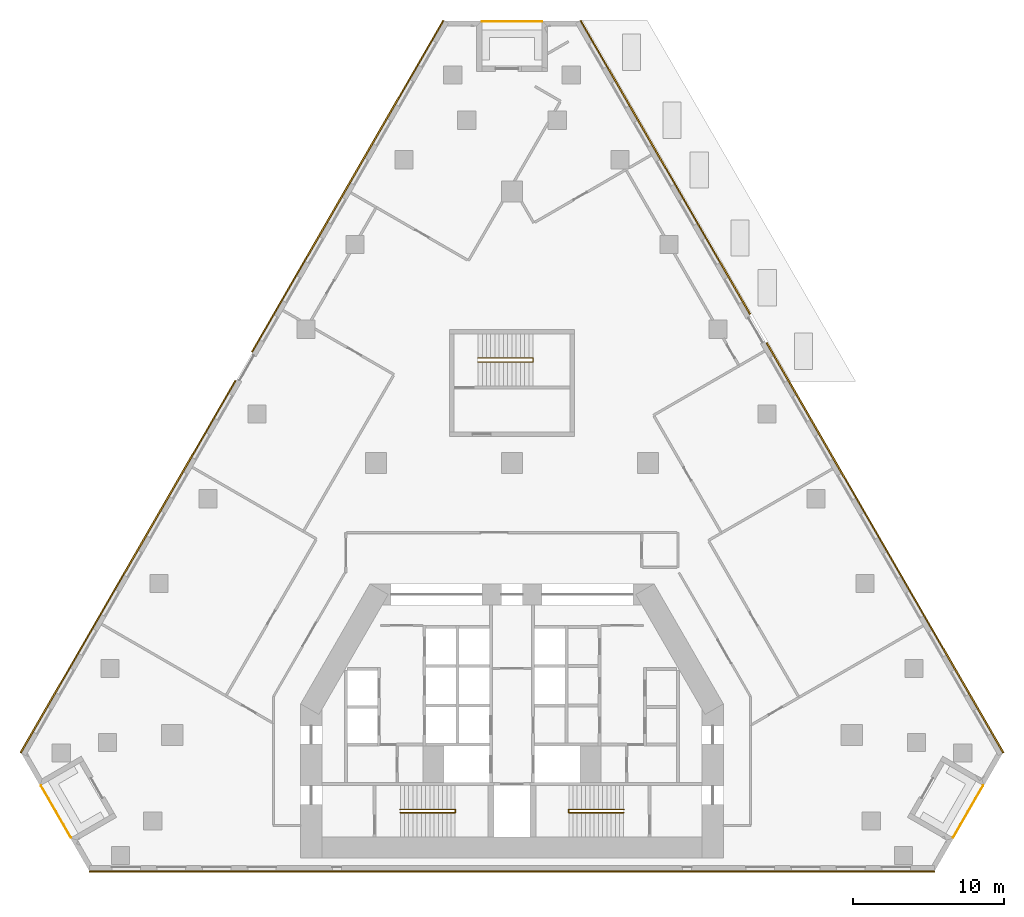
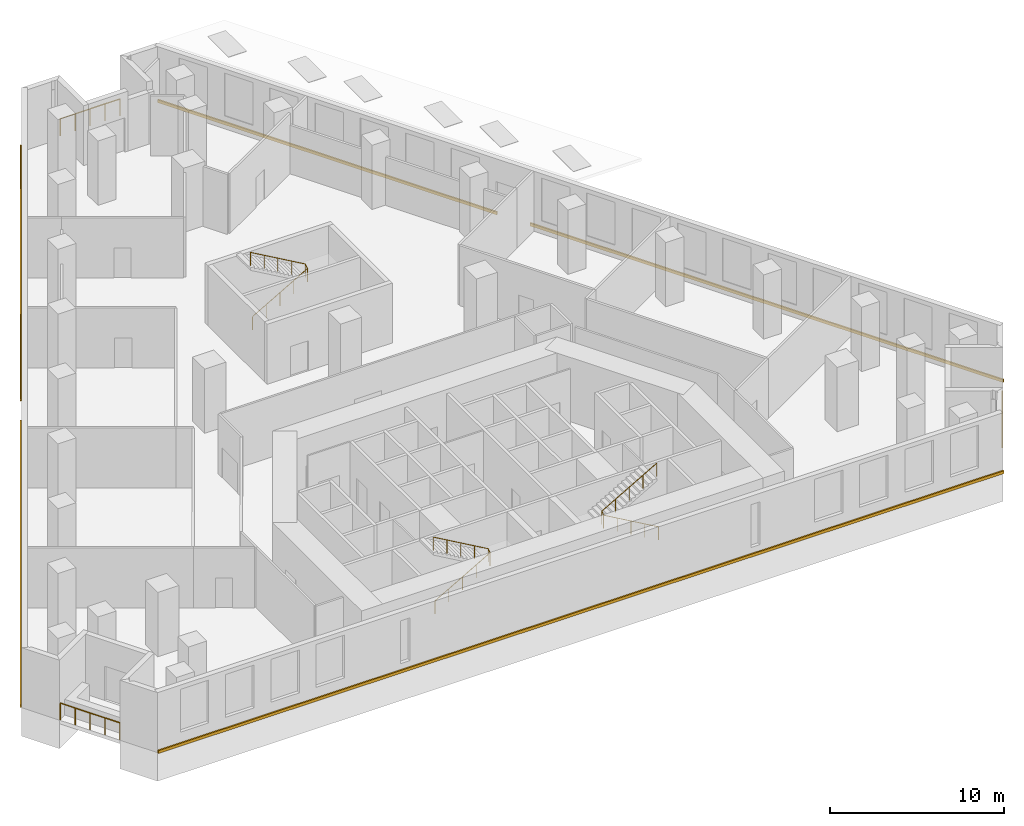
# One storey, part 13 of 13: 6 railings, 5 coverings.
"""IFC4 building model written with IfcOpenShell, lengths in metres."""

from ifc_helpers import new_model, si_unit, direction, frame, origin, origin_2d, place, context, subcontext, project, spatial, polyline, circle, outline, extrude, material, type_object, element, save


model = new_model("IFC4")

# Units and contexts
model_context = context("Model", 3, precision=1e-05, world=origin(), true_north=direction((0.0, 1.0)))
body_context = subcontext(model_context, "Body", "Model", "MODEL_VIEW")
ifc_project = project(units=[si_unit("LENGTHUNIT", "METRE"), si_unit("AREAUNIT", "SQUARE_METRE"), si_unit("VOLUMEUNIT", "CUBIC_METRE"), si_unit("PLANEANGLEUNIT", "RADIAN"), si_unit("MASSUNIT", "GRAM", prefix="KILO")], contexts=[model_context])

# Site, building, storey
site_placement = place(None, origin())
site = spatial("IfcSite", under=ifc_project, at=site_placement, CompositionType="ELEMENT")
building_placement = place(site_placement, origin())
building = spatial("IfcBuilding", under=site, at=building_placement, Name="Fogline Exchange Tower", CompositionType="ELEMENT")
storey_placement = place(building_placement, frame((0.0, 0.0, 25.0)))
storey = spatial("IfcBuildingStorey", under=building, at=storey_placement, Name="L04", CompositionType="ELEMENT", Elevation=25.0)

# Railings
ifc_material_1 = material(Name="Stainless steel 304", Category="steel")
railing_type_1 = type_object("IfcRailingType", Name="G1", PredefinedType="GUARDRAIL", material=ifc_material_1)
railing_1_placement = place(storey_placement, frame((-31.1962890625, 5.635986328125, 0.0)))
element("IfcRailing", 1, at=railing_1_placement, inside=storey, type_object=railing_type_1, Name="Balcony guard L04 SW", PredefinedType="GUARDRAIL", context=body_context, shape_type="SweptSolid", body=[
    extrude(circle(Radius=0.02392578125, at=origin_2d()), frame((0.0, 0.0, 1.17578125), z_axis=(0.500000102728, -0.866025344474, 0.0), x_axis=(0.866025344474, 0.500000102728, 0.0)), (0.0, 0.0, 1.0), 3.9580078125),
    extrude(circle(Radius=0.02099609375, at=origin_2d()), origin(), (0.0, 0.0, 1.0), 1.15185546875),
    extrude(circle(Radius=0.02099609375, at=origin_2d()), frame((0.49462890625, -0.85693359375, 0.0)), (0.0, 0.0, 1.0), 1.15185546875),
    extrude(circle(Radius=0.02099609375, at=origin_2d()), frame((0.989501953125, -1.7138671875, 0.0)), (0.0, 0.0, 1.0), 1.15185546875),
    extrude(circle(Radius=0.02099609375, at=origin_2d()), frame((1.484375, -2.57080078125, 0.0)), (0.0, 0.0, 1.0), 1.15185546875),
    extrude(circle(Radius=0.02099609375, at=origin_2d()), frame((1.97900390625, -3.427734375, 0.0)), (0.0, 0.0, 1.0), 1.15185546875),
])
railing_2_placement = place(storey_placement, frame((29.21728515625, 2.208251953125, 0.0)))
element("IfcRailing", 2, at=railing_2_placement, inside=storey, type_object=railing_type_1, Name="Balcony guard L04 SE", PredefinedType="GUARDRAIL", context=body_context, shape_type="SweptSolid", body=[
    extrude(circle(Radius=0.02392578125, at=origin_2d()), frame((0.0, 0.0, 1.17578125), z_axis=(0.500000102728, 0.866025344474, 0.0), x_axis=(-0.866025344474, 0.500000102728, 0.0)), (0.0, 0.0, 1.0), 3.9580078125),
    extrude(circle(Radius=0.02099609375, at=origin_2d()), origin(), (0.0, 0.0, 1.0), 1.15185546875),
    extrude(circle(Radius=0.02099609375, at=origin_2d()), frame((0.49462890625, 0.85693359375, 0.0)), (0.0, 0.0, 1.0), 1.15185546875),
    extrude(circle(Radius=0.02099609375, at=origin_2d()), frame((0.989501953125, 1.7138671875, 0.0)), (0.0, 0.0, 1.0), 1.15185546875),
    extrude(circle(Radius=0.02099609375, at=origin_2d()), frame((1.484375, 2.57080078125, 0.0)), (0.0, 0.0, 1.0), 1.15185546875),
    extrude(circle(Radius=0.02099609375, at=origin_2d()), frame((1.97900390625, 3.427734375, 0.0)), (0.0, 0.0, 1.0), 1.15185546875),
])
railing_3_placement = place(storey_placement, frame((1.97900390625, 56.24169921875, 0.0)))
element("IfcRailing", 3, at=railing_3_placement, inside=storey, type_object=railing_type_1, Name="Balcony guard L04 N", PredefinedType="GUARDRAIL", context=body_context, shape_type="SweptSolid", body=[
    extrude(circle(Radius=0.02392578125, at=origin_2d()), frame((0.0, 0.0, 1.17578125), z_axis=(-1.0, 0.0, 0.0), x_axis=(0.0, -1.0, 0.0)), (0.0, 0.0, 1.0), 3.9580078125),
    extrude(circle(Radius=0.02099609375, at=origin_2d()), origin(), (0.0, 0.0, 1.0), 1.15185546875),
    extrude(circle(Radius=0.02099609375, at=origin_2d()), frame((-0.989501953125, 0.0, 0.0)), (0.0, 0.0, 1.0), 1.15185546875),
    extrude(circle(Radius=0.02099609375, at=origin_2d()), frame((-1.97900390625, 0.0, 0.0)), (0.0, 0.0, 1.0), 1.15185546875),
    extrude(circle(Radius=0.02099609375, at=origin_2d()), frame((-2.968505859375, 0.0, 0.0)), (0.0, 0.0, 1.0), 1.15185546875),
    extrude(circle(Radius=0.02099609375, at=origin_2d()), frame((-3.9580078125, 0.0, 0.0)), (0.0, 0.0, 1.0), 1.15185546875),
])
ifc_material_2 = material(Name="Steel Q235B", Category="steel")
railing_type_2 = type_object("IfcRailingType", Name="RL-HR", PredefinedType="HANDRAIL", material=ifc_material_2)
railing_4_placement = place(storey_placement, frame((-7.39990234375, 3.85009765625, 0.16064453125)))
element("IfcRailing", 4, at=railing_4_placement, inside=storey, type_object=railing_type_2, Name="Handrail ST1", PredefinedType="HANDRAIL", context=body_context, shape_type="SweptSolid", body=[
    extrude(circle(Radius=0.02392578125, at=origin_2d()), frame((0.0, 0.0, 0.92578125), z_axis=(0.8672749571, 0.0, 0.497829437445), x_axis=(0.0, 1.0, 0.0)), (0.0, 0.0, 1.0), 4.197021484375),
    extrude(circle(Radius=0.02392578125, at=origin_2d()), frame((3.639892578125, 0.0, 3.01513671875), z_axis=(0.0, 0.779567027444, 0.626318808374), x_axis=(-1.0, 0.0, 0.0)), (0.0, 0.0, 1.0), 0.256591796875),
    extrude(circle(Radius=0.02392578125, at=origin_2d()), frame((3.639892578125, 0.199951171875, 3.17578125), z_axis=(-0.8672749571, 0.0, 0.497829437445), x_axis=(0.0, -1.0, 0.0)), (0.0, 0.0, 1.0), 4.197021484375),
    extrude(circle(Radius=0.02099609375, at=origin_2d()), origin(), (0.0, 0.0, 1.0), 0.90185546875),
    extrude(circle(Radius=0.02099609375, at=origin_2d()), frame((0.909912109375, 0.0, 0.5224609375)), (0.0, 0.0, 1.0), 0.90185546875),
    extrude(circle(Radius=0.02099609375, at=origin_2d()), frame((1.81982421875, 0.0, 1.044677734375)), (0.0, 0.0, 1.0), 0.90185546875),
    extrude(circle(Radius=0.02099609375, at=origin_2d()), frame((2.72998046875, 0.0, 1.56689453125)), (0.0, 0.0, 1.0), 0.90185546875),
    extrude(circle(Radius=0.02099609375, at=origin_2d()), frame((3.639892578125, 0.0, 2.08935546875)), (0.0, 0.0, 1.0), 0.90185546875),
    extrude(circle(Radius=0.02099609375, at=origin_2d()), frame((3.639892578125, 0.199951171875, 2.25)), (0.0, 0.0, 1.0), 0.90185546875),
    extrude(circle(Radius=0.02099609375, at=origin_2d()), frame((2.72998046875, 0.199951171875, 2.7724609375)), (0.0, 0.0, 1.0), 0.90185546875),
    extrude(circle(Radius=0.02099609375, at=origin_2d()), frame((1.81982421875, 0.199951171875, 3.294677734375)), (0.0, 0.0, 1.0), 0.90185546875),
    extrude(circle(Radius=0.02099609375, at=origin_2d()), frame((0.909912109375, 0.199951171875, 3.81689453125)), (0.0, 0.0, 1.0), 0.90185546875),
    extrude(circle(Radius=0.02099609375, at=origin_2d()), frame((0.0, 0.199951171875, 4.33935546875)), (0.0, 0.0, 1.0), 0.90185546875),
])
railing_5_placement = place(storey_placement, frame((7.39990234375, 3.85009765625, 0.16064453125)))
element("IfcRailing", 5, at=railing_5_placement, inside=storey, type_object=railing_type_2, Name="Handrail ST2", PredefinedType="HANDRAIL", context=body_context, shape_type="SweptSolid", body=[
    extrude(circle(Radius=0.02392578125, at=origin_2d()), frame((0.0, 0.0, 0.92578125), z_axis=(-0.8672749571, 0.0, 0.497829437445), x_axis=(0.0, -1.0, 0.0)), (0.0, 0.0, 1.0), 4.197021484375),
    extrude(circle(Radius=0.02392578125, at=origin_2d()), frame((-3.639892578125, 0.0, 3.01513671875), z_axis=(0.0, 0.779567027444, 0.626318808374), x_axis=(-1.0, 0.0, 0.0)), (0.0, 0.0, 1.0), 0.256591796875),
    extrude(circle(Radius=0.02392578125, at=origin_2d()), frame((-3.639892578125, 0.199951171875, 3.17578125), z_axis=(0.8672749571, 0.0, 0.497829437445), x_axis=(0.0, 1.0, 0.0)), (0.0, 0.0, 1.0), 4.197021484375),
    extrude(circle(Radius=0.02099609375, at=origin_2d()), origin(), (0.0, 0.0, 1.0), 0.90185546875),
    extrude(circle(Radius=0.02099609375, at=origin_2d()), frame((-0.909912109375, 0.0, 0.5224609375)), (0.0, 0.0, 1.0), 0.90185546875),
    extrude(circle(Radius=0.02099609375, at=origin_2d()), frame((-1.81982421875, 0.0, 1.044677734375)), (0.0, 0.0, 1.0), 0.90185546875),
    extrude(circle(Radius=0.02099609375, at=origin_2d()), frame((-2.72998046875, 0.0, 1.56689453125)), (0.0, 0.0, 1.0), 0.90185546875),
    extrude(circle(Radius=0.02099609375, at=origin_2d()), frame((-3.639892578125, 0.0, 2.08935546875)), (0.0, 0.0, 1.0), 0.90185546875),
    extrude(circle(Radius=0.02099609375, at=origin_2d()), frame((-3.639892578125, 0.199951171875, 2.25)), (0.0, 0.0, 1.0), 0.90185546875),
    extrude(circle(Radius=0.02099609375, at=origin_2d()), frame((-2.72998046875, 0.199951171875, 2.7724609375)), (0.0, 0.0, 1.0), 0.90185546875),
    extrude(circle(Radius=0.02099609375, at=origin_2d()), frame((-1.81982421875, 0.199951171875, 3.294677734375)), (0.0, 0.0, 1.0), 0.90185546875),
    extrude(circle(Radius=0.02099609375, at=origin_2d()), frame((-0.909912109375, 0.199951171875, 3.81689453125)), (0.0, 0.0, 1.0), 0.90185546875),
    extrude(circle(Radius=0.02099609375, at=origin_2d()), frame((0.0, 0.199951171875, 4.33935546875)), (0.0, 0.0, 1.0), 0.90185546875),
])
railing_6_placement = place(storey_placement, frame((-2.25, 33.70703125, 0.16064453125)))
element("IfcRailing", 6, at=railing_6_placement, inside=storey, type_object=railing_type_2, Name="Handrail ST3", PredefinedType="HANDRAIL", context=body_context, shape_type="SweptSolid", body=[
    extrude(circle(Radius=0.02392578125, at=origin_2d()), frame((0.0, 0.0, 0.92578125), z_axis=(0.8672749571, 0.0, 0.497829437445), x_axis=(0.0, 1.0, 0.0)), (0.0, 0.0, 1.0), 4.197021484375),
    extrude(circle(Radius=0.02392578125, at=origin_2d()), frame((3.639892578125, 0.0, 3.01513671875), z_axis=(0.0, 0.841285233109, 0.540591487681), x_axis=(-1.0, 0.0, 0.0)), (0.0, 0.0, 1.0), 0.297119140625),
    extrude(circle(Radius=0.02392578125, at=origin_2d()), frame((3.639892578125, 0.25, 3.17578125), z_axis=(-0.8672749571, 0.0, 0.497829437445), x_axis=(0.0, -1.0, 0.0)), (0.0, 0.0, 1.0), 4.197021484375),
    extrude(circle(Radius=0.02099609375, at=origin_2d()), origin(), (0.0, 0.0, 1.0), 0.90185546875),
    extrude(circle(Radius=0.02099609375, at=origin_2d()), frame((0.909912109375, 0.0, 0.5224609375)), (0.0, 0.0, 1.0), 0.90185546875),
    extrude(circle(Radius=0.02099609375, at=origin_2d()), frame((1.81982421875, 0.0, 1.044677734375)), (0.0, 0.0, 1.0), 0.90185546875),
    extrude(circle(Radius=0.02099609375, at=origin_2d()), frame((2.72998046875, 0.0, 1.56689453125)), (0.0, 0.0, 1.0), 0.90185546875),
    extrude(circle(Radius=0.02099609375, at=origin_2d()), frame((3.639892578125, 0.0, 2.08935546875)), (0.0, 0.0, 1.0), 0.90185546875),
    extrude(circle(Radius=0.02099609375, at=origin_2d()), frame((3.639892578125, 0.25, 2.25)), (0.0, 0.0, 1.0), 0.90185546875),
    extrude(circle(Radius=0.02099609375, at=origin_2d()), frame((2.72998046875, 0.25, 2.7724609375)), (0.0, 0.0, 1.0), 0.90185546875),
    extrude(circle(Radius=0.02099609375, at=origin_2d()), frame((1.81982421875, 0.25, 3.294677734375)), (0.0, 0.0, 1.0), 0.90185546875),
    extrude(circle(Radius=0.02099609375, at=origin_2d()), frame((0.909912109375, 0.25, 3.81689453125)), (0.0, 0.0, 1.0), 0.90185546875),
    extrude(circle(Radius=0.02099609375, at=origin_2d()), frame((0.0, 0.25, 4.33935546875)), (0.0, 0.0, 1.0), 0.90185546875),
])

# Coverings
ifc_material_3 = material(Name="Brick masonry", Category="masonry")
covering_type = type_object("IfcCoveringType", Name="SB1", PredefinedType="CLADDING", material=ifc_material_3)
covering_1_placement = place(storey_placement, origin())
element("IfcCovering", 7, at=covering_1_placement, inside=storey, type_object=covering_type, Name="Stringcourse band L04 S", PredefinedType="CLADDING", context=body_context, shape_type="SweptSolid", body=[
    extrude(outline(polyline([(-28.0, 0.0), (-28.0, -0.10009765625), (28.0, -0.10009765625), (28.0, 0.0), (-28.0, 0.0)])), origin(), (0.0, 0.0, 1.0), 0.199951171875),
])
covering_2_placement = place(storey_placement, origin())
element("IfcCovering", 8, at=covering_2_placement, inside=storey, type_object=covering_type, Name="Stringcourse band L04 E", PredefinedType="CLADDING", context=body_context, shape_type="SweptSolid", body=[
    extrude(outline(polyline([(32.5, 7.794189453125), (32.586669921875, 7.84423828125), (16.91162109375, 34.994140625), (16.824951171875, 34.944091796875), (32.5, 7.794189453125)])), origin(), (0.0, 0.0, 1.0), 0.199951171875),
])
covering_3_placement = place(storey_placement, origin())
element("IfcCovering", 9, at=covering_3_placement, inside=storey, type_object=covering_type, Name="Stringcourse band L04 E", PredefinedType="CLADDING", context=body_context, shape_type="SweptSolid", body=[
    extrude(outline(polyline([(15.732421875, 36.83642578125), (15.819091796875, 36.886474609375), (4.586669921875, 56.341796875), (4.5, 56.291748046875), (15.732421875, 36.83642578125)])), origin(), (0.0, 0.0, 1.0), 0.199951171875),
])
covering_4_placement = place(storey_placement, origin())
element("IfcCovering", 10, at=covering_4_placement, inside=storey, type_object=covering_type, Name="Stringcourse band L04 W", PredefinedType="CLADDING", context=body_context, shape_type="SweptSolid", body=[
    extrude(outline(polyline([(-4.5, 56.291748046875), (-4.586669921875, 56.341796875), (-17.26171875, 34.387939453125), (-17.175048828125, 34.337890625), (-4.5, 56.291748046875)])), origin(), (0.0, 0.0, 1.0), 0.199951171875),
])
covering_5_placement = place(storey_placement, origin())
element("IfcCovering", 11, at=covering_5_placement, inside=storey, type_object=covering_type, Name="Stringcourse band L04 W", PredefinedType="CLADDING", context=body_context, shape_type="SweptSolid", body=[
    extrude(outline(polyline([(-18.267578125, 32.445556640625), (-18.35400390625, 32.49560546875), (-32.586669921875, 7.84423828125), (-32.5, 7.794189453125), (-18.267578125, 32.445556640625)])), origin(), (0.0, 0.0, 1.0), 0.199951171875),
])

save(model, "model.ifc")
